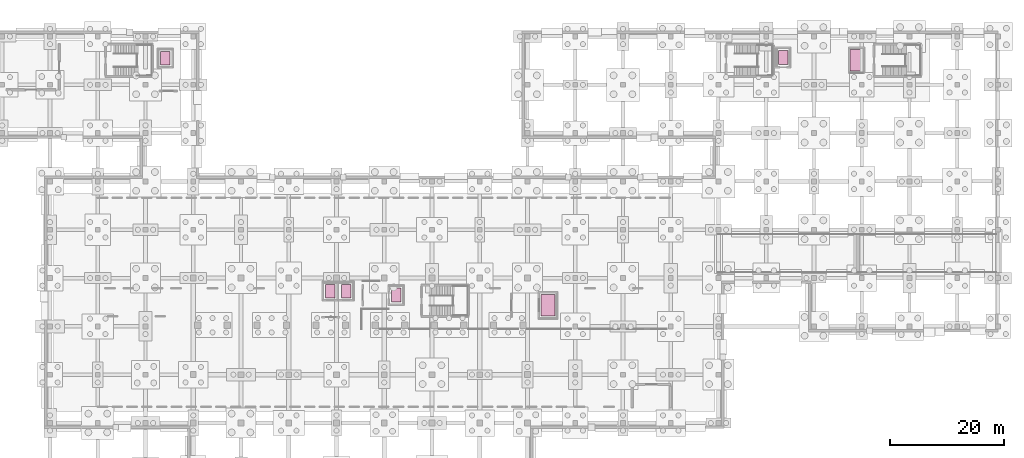
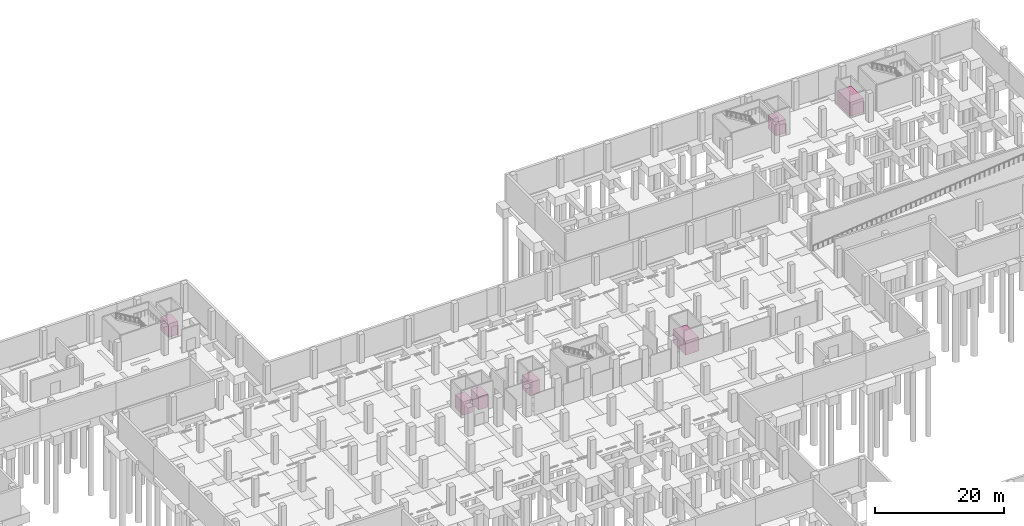
# One storey, part 34 of 34: 7 transport elements.
"""IFC4 building model written with IfcOpenShell, lengths in metres."""

from ifc_helpers import new_model, si_unit, direction, frame, origin, origin_2d, place, context, subcontext, project, spatial, rectangle, extrude, material, type_object, element, save


model = new_model("IFC4")

# Units and contexts
model_context = context("Model", 3, precision=1e-05, world=origin(), true_north=direction((0.0, 1.0)))
body_context = subcontext(model_context, "Body", "Model", "MODEL_VIEW")
ifc_project = project(units=[si_unit("LENGTHUNIT", "METRE"), si_unit("AREAUNIT", "SQUARE_METRE"), si_unit("VOLUMEUNIT", "CUBIC_METRE"), si_unit("PLANEANGLEUNIT", "RADIAN"), si_unit("MASSUNIT", "GRAM", prefix="KILO")], contexts=[model_context])

# Site, building, storey
site_placement = place(None, origin())
site = spatial("IfcSite", under=ifc_project, at=site_placement, CompositionType="ELEMENT")
building_placement = place(site_placement, origin())
building = spatial("IfcBuilding", under=site, at=building_placement, Name="Solvento Point Concert Hall", CompositionType="ELEMENT")
storey_placement = place(building_placement, frame((0.0, 0.0, -5.39990234375)))
storey = spatial("IfcBuildingStorey", under=building, at=storey_placement, Name="B01", CompositionType="ELEMENT", Elevation=-5.39990234375)

# Transport elements
ifc_material_1 = material(Name="Brushed Stainless Steel Elevator Car", Category="steel")
transport_element_type_1 = type_object("IfcTransportElementType", Name="Elevator_FireStretcher", PredefinedType="ELEVATOR", material=ifc_material_1)
for number, where, z_axis, x_axis, name in (
    (1, (178.199951171875, 132.300048828125, 0.0), (0.0, 0.0, 1.0), (1.0, 0.0, 0.0), "Elevator LF-01 (firefighting)"),
    (2, (110.10009765625, 90.5, 0.0), (0.0, 0.0, 1.0), (1.0, 0.0, 0.0), "Elevator LF-02 (firefighting)"),
):
    element("IfcTransportElement", number, at=place(storey_placement, frame(where, z_axis=z_axis, x_axis=x_axis)), inside=storey, type_object=transport_element_type_1, Name=name, PredefinedType="ELEVATOR", context=body_context, shape_type="SweptSolid", body=[
        extrude(rectangle(XDim=1.699951171875, YDim=2.449951171875, at=origin_2d()), origin(), (0.0, 0.0, 1.0), 2.550048828125),
    ])
ifc_material_2 = material(Name="Brushed Stainless Steel Elevator Car", Category="steel")
transport_element_type_2 = type_object("IfcTransportElementType", Name="Elevator_GoodsPiano", PredefinedType="ELEVATOR", material=ifc_material_2)
for number, where, z_axis, x_axis, name in (
    (3, (136.800048828125, 88.699951171875, 0.0), (0.0, 0.0, 1.0), (1.0, 0.0, 0.0), "Elevator LG-01 (goods)"),
    (4, (191.10009765625, 131.800048828125, 0.0), (0.0, 0.0, 1.0), (1.0, 0.0, 0.0), "Elevator LG-02 (goods)"),
):
    element("IfcTransportElement", number, at=place(storey_placement, frame(where, z_axis=z_axis, x_axis=x_axis)), inside=storey, type_object=transport_element_type_2, Name=name, PredefinedType="ELEVATOR", context=body_context, shape_type="SweptSolid", body=[
        extrude(rectangle(XDim=2.39990234375, YDim=3.800048828125, at=origin_2d()), origin(), (0.0, 0.0, 1.0), 2.64990234375),
    ])
ifc_material_3 = material(Name="Brushed Stainless Steel Elevator Car", Category="steel")
transport_element_type_3 = type_object("IfcTransportElementType", Name="Elevator_Passenger", PredefinedType="ELEVATOR", material=ifc_material_3)
for number, where, z_axis, x_axis, name in (
    (5, (98.5, 91.199951171875, 0.0), (0.0, 0.0, 1.0), (1.0, 0.0, 0.0), "Elevator LP-01 (passenger)"),
    (6, (101.300048828125, 91.199951171875, 0.0), (0.0, 0.0, 1.0), (1.0, 0.0, 0.0), "Elevator LP-02 (passenger)"),
    (7, (69.5, 132.199951171875, 0.0), (0.0, 0.0, 1.0), (1.0, 0.0, 0.0), "Elevator LP-03 (passenger)"),
):
    element("IfcTransportElement", number, at=place(storey_placement, frame(where, z_axis=z_axis, x_axis=x_axis)), inside=storey, type_object=transport_element_type_3, Name=name, PredefinedType="ELEVATOR", context=body_context, shape_type="SweptSolid", body=[
        extrude(rectangle(XDim=1.699951171875, YDim=2.39990234375, at=origin_2d()), origin(), (0.0, 0.0, 1.0), 2.5),
    ])

save(model, "model.ifc")
